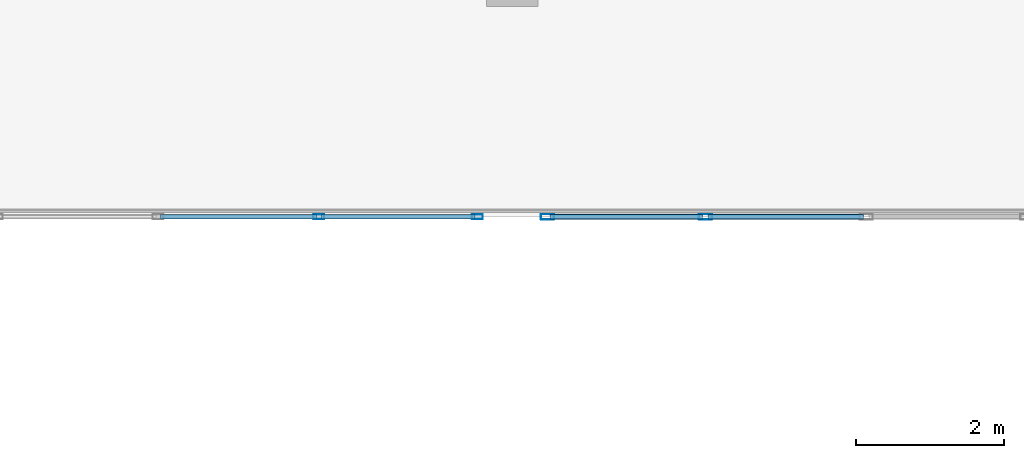
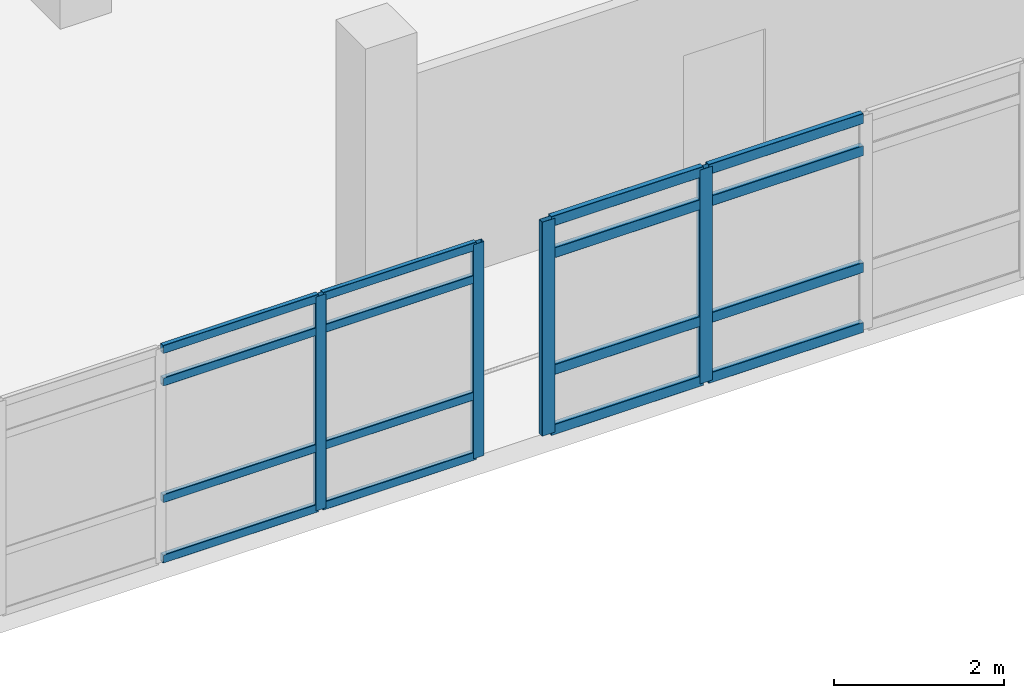
# One storey, part 46 of 134: 20 members, 2 elements without a shape of their own.
"""IFC4 building model written with IfcOpenShell, lengths in metres."""

from ifc_helpers import new_model, si_unit, direction, frame, origin, origin_2d, place, context, subcontext, project, spatial, hollow_rectangle, extrude, material, layer, layer_set, material_profile, profile_set, type_object, element, aggregate, save


model = new_model("IFC4")

# Units and contexts
model_context = context("Model", 3, precision=1e-05, world=origin(), true_north=direction((0.0, 1.0)))
body_context = subcontext(model_context, "Body", "Model", "MODEL_VIEW")
ifc_project = project(units=[si_unit("LENGTHUNIT", "METRE"), si_unit("AREAUNIT", "SQUARE_METRE"), si_unit("VOLUMEUNIT", "CUBIC_METRE"), si_unit("PLANEANGLEUNIT", "RADIAN"), si_unit("MASSUNIT", "GRAM", prefix="KILO")], contexts=[model_context])

# Site, building, storey
site_placement = place(None, origin())
site = spatial("IfcSite", under=ifc_project, at=site_placement, CompositionType="ELEMENT")
building_placement = place(site_placement, origin())
building = spatial("IfcBuilding", under=site, at=building_placement, Name="Asteropetra Specialist Clinic", CompositionType="ELEMENT")
storey_placement = place(building_placement, frame((0.0, 0.0, 8.5)))
storey = spatial("IfcBuildingStorey", under=building, at=storey_placement, Name="L02", CompositionType="ELEMENT", Elevation=8.5)

# Curtain wall, members
ifc_material_1 = material(Name="Aluminium and low-E glass", Category="aluminium")
ifc_layer_1 = layer(ifc_material_1, 0.135009765625)
ifc_layer_set_1 = layer_set([ifc_layer_1], Name="Aluminium and low-E glass")
curtain_wall_type_1 = type_object("IfcCurtainWallType", Name="CW-SYS-03", PredefinedType="USERDEFINED", material=ifc_layer_set_1)
curtain_wall_1_placement = place(storey_placement, origin())
curtain_wall_1 = element("IfcCurtainWall", 1, at=curtain_wall_1_placement, inside=storey, type_object=curtain_wall_type_1, Name="Curtain Wall CW-034", ObjectType="UNITISED CURTAIN WALL", PredefinedType="USERDEFINED")
ifc_material_2 = material(Name="Aluminium 6063-T6", Category="aluminium")
ifc_material_profile_1 = material_profile(ifc_material_2, hollow_rectangle(XDim=0.06494140625, YDim=0.14990234375, WallThickness=0.00390625, InnerFilletRadius=0.00390625, OuterFilletRadius=0.008056640625, at=origin_2d()), Name="MUL 150x65x4.0")
ifc_profile_set_1 = profile_set([ifc_material_profile_1], Name="Aluminium 6063-T6")
member_type_1 = type_object("IfcMemberType", Name="CWM-150x65", PredefinedType="MULLION", material=ifc_profile_set_1)
member_1_placement = place(storey_placement, frame((18.7275390625, 95.199951171875, 0.0), z_axis=(0.0, 0.0, 1.0), x_axis=(0.0, -1.0, 0.0)))
member_1 = element("IfcMember", 2, at=member_1_placement, type_object=member_type_1, Name="CW-034 mullion 1", PredefinedType="MULLION", context=body_context, shape_type="SweptSolid", body=[
    extrude(hollow_rectangle(XDim=0.06494140625, YDim=0.14990234375, WallThickness=0.00390625, InnerFilletRadius=0.00390625, OuterFilletRadius=0.008056640625, at=origin_2d()), origin(), (0.0, 0.0, 1.0), 3.080078125),
])
member_2_placement = place(storey_placement, frame((16.580078125, 95.199951171875, 0.0), z_axis=(0.0, 0.0, 1.0), x_axis=(0.0, -1.0, 0.0)))
member_2 = element("IfcMember", 3, at=member_2_placement, type_object=member_type_1, Name="CW-034 mullion 2", PredefinedType="MULLION", context=body_context, shape_type="SweptSolid", body=[
    extrude(hollow_rectangle(XDim=0.06494140625, YDim=0.14990234375, WallThickness=0.00390625, InnerFilletRadius=0.00390625, OuterFilletRadius=0.008056640625, at=origin_2d()), origin(), (0.0, 0.0, 1.0), 3.080078125),
])

ifc_material_3 = material(Name="Aluminium and low-E glass", Category="aluminium")
ifc_layer_2 = layer(ifc_material_3, 0.179931640625)
ifc_layer_set_2 = layer_set([ifc_layer_2], Name="Aluminium and low-E glass")
curtain_wall_type_2 = type_object("IfcCurtainWallType", Name="CW-SYS-04", PredefinedType="USERDEFINED", material=ifc_layer_set_2)
curtain_wall_2_placement = place(storey_placement, origin())
curtain_wall_2 = element("IfcCurtainWall", 4, at=curtain_wall_2_placement, inside=storey, type_object=curtain_wall_type_2, Name="Curtain Wall CW-036", ObjectType="UNITISED CURTAIN WALL", PredefinedType="USERDEFINED")
ifc_material_4 = material(Name="Aluminium 6063-T6", Category="aluminium")
ifc_material_profile_2 = material_profile(ifc_material_4, hollow_rectangle(XDim=0.074951171875, YDim=0.179931640625, WallThickness=0.00390625, InnerFilletRadius=0.00390625, OuterFilletRadius=0.008056640625, at=origin_2d()), Name="MUL 180x75x4.0")
ifc_profile_set_2 = profile_set([ifc_material_profile_2], Name="Aluminium 6063-T6")
member_type_2 = type_object("IfcMemberType", Name="CWM-180x75", PredefinedType="MULLION", material=ifc_profile_set_2)
member_3_placement = place(storey_placement, frame((21.820068359375, 95.199951171875, 0.0), z_axis=(0.0, 0.0, 1.0), x_axis=(0.0, -1.0, 0.0)))
member_3 = element("IfcMember", 5, at=member_3_placement, type_object=member_type_2, Name="CW-036 mullion 4", PredefinedType="MULLION", context=body_context, shape_type="SweptSolid", body=[
    extrude(hollow_rectangle(XDim=0.074951171875, YDim=0.179931640625, WallThickness=0.00390625, InnerFilletRadius=0.00390625, OuterFilletRadius=0.008056640625, at=origin_2d()), origin(), (0.0, 0.0, 1.0), 3.080078125),
])
member_4_placement = place(storey_placement, frame((19.677490234375, 95.199951171875, 0.0), z_axis=(0.0, 0.0, 1.0), x_axis=(0.0, -1.0, 0.0)))
member_4 = element("IfcMember", 6, at=member_4_placement, type_object=member_type_2, Name="CW-036 mullion 5", PredefinedType="MULLION", context=body_context, shape_type="SweptSolid", body=[
    extrude(hollow_rectangle(XDim=0.074951171875, YDim=0.179931640625, WallThickness=0.00390625, InnerFilletRadius=0.00390625, OuterFilletRadius=0.008056640625, at=origin_2d()), origin(), (0.0, 0.0, 1.0), 3.080078125),
])

# Member
ifc_material_5 = material(Name="Aluminium 6063-T6", Category="aluminium")
ifc_material_profile_3 = material_profile(ifc_material_5, hollow_rectangle(XDim=0.06494140625, YDim=0.1201171875, WallThickness=0.00390625, InnerFilletRadius=0.00390625, OuterFilletRadius=0.008056640625, at=origin_2d()), Name="TRN 120x65x4.0")
ifc_profile_set_3 = profile_set([ifc_material_profile_3], Name="Aluminium 6063-T6")
member_type_3 = type_object("IfcMemberType", Name="CWT-120x65", PredefinedType="USERDEFINED", material=ifc_profile_set_3)
member_5_placement = place(storey_placement, frame((18.695068359375, 95.199951171875, 0.032470703125), z_axis=(-1.0, 0.0, 0.0), x_axis=(0.0, -1.0, 0.0)))
member_5 = element("IfcMember", 7, at=member_5_placement, type_object=member_type_3, Name="CW-034 transom 1.1", ObjectType="TRANSOM", PredefinedType="USERDEFINED", context=body_context, shape_type="SweptSolid", body=[
    extrude(hollow_rectangle(XDim=0.06494140625, YDim=0.1201171875, WallThickness=0.00390625, InnerFilletRadius=0.00390625, OuterFilletRadius=0.008056640625, at=origin_2d()), origin(), (0.0, 0.0, 1.0), 2.08251953125),
])

member_6_placement = place(storey_placement, frame((18.695068359375, 95.199951171875, 0.89990234375), z_axis=(-1.0, 0.0, 0.0), x_axis=(0.0, -1.0, 0.0)))
member_6 = element("IfcMember", 8, at=member_6_placement, type_object=member_type_3, Name="CW-034 transom 1.2", ObjectType="TRANSOM", PredefinedType="USERDEFINED", context=body_context, shape_type="SweptSolid", body=[
    extrude(hollow_rectangle(XDim=0.06494140625, YDim=0.1201171875, WallThickness=0.00390625, InnerFilletRadius=0.00390625, OuterFilletRadius=0.008056640625, at=origin_2d()), origin(), (0.0, 0.0, 1.0), 2.08251953125),
])

member_7_placement = place(storey_placement, frame((18.695068359375, 95.199951171875, 2.580078125), z_axis=(-1.0, 0.0, 0.0), x_axis=(0.0, -1.0, 0.0)))
member_7 = element("IfcMember", 9, at=member_7_placement, type_object=member_type_3, Name="CW-034 transom 1.3", ObjectType="TRANSOM", PredefinedType="USERDEFINED", context=body_context, shape_type="SweptSolid", body=[
    extrude(hollow_rectangle(XDim=0.06494140625, YDim=0.1201171875, WallThickness=0.00390625, InnerFilletRadius=0.00390625, OuterFilletRadius=0.008056640625, at=origin_2d()), origin(), (0.0, 0.0, 1.0), 2.08251953125),
])

member_8_placement = place(storey_placement, frame((18.695068359375, 95.199951171875, 3.047607421875), z_axis=(-1.0, 0.0, 0.0), x_axis=(0.0, -1.0, 0.0)))
member_8 = element("IfcMember", 10, at=member_8_placement, type_object=member_type_3, Name="CW-034 transom 1.4", ObjectType="TRANSOM", PredefinedType="USERDEFINED", context=body_context, shape_type="SweptSolid", body=[
    extrude(hollow_rectangle(XDim=0.06494140625, YDim=0.1201171875, WallThickness=0.00390625, InnerFilletRadius=0.00390625, OuterFilletRadius=0.008056640625, at=origin_2d()), origin(), (0.0, 0.0, 1.0), 2.08251953125),
])

member_9_placement = place(storey_placement, frame((16.547607421875, 95.199951171875, 0.032470703125), z_axis=(-1.0, 0.0, 0.0), x_axis=(0.0, -1.0, 0.0)))
member_9 = element("IfcMember", 11, at=member_9_placement, type_object=member_type_3, Name="CW-034 transom 2.1", ObjectType="TRANSOM", PredefinedType="USERDEFINED", context=body_context, shape_type="SweptSolid", body=[
    extrude(hollow_rectangle(XDim=0.06494140625, YDim=0.1201171875, WallThickness=0.00390625, InnerFilletRadius=0.00390625, OuterFilletRadius=0.008056640625, at=origin_2d()), origin(), (0.0, 0.0, 1.0), 2.114990234375),
])

member_10_placement = place(storey_placement, frame((16.547607421875, 95.199951171875, 0.89990234375), z_axis=(-1.0, 0.0, 0.0), x_axis=(0.0, -1.0, 0.0)))
member_10 = element("IfcMember", 12, at=member_10_placement, type_object=member_type_3, Name="CW-034 transom 2.2", ObjectType="TRANSOM", PredefinedType="USERDEFINED", context=body_context, shape_type="SweptSolid", body=[
    extrude(hollow_rectangle(XDim=0.06494140625, YDim=0.1201171875, WallThickness=0.00390625, InnerFilletRadius=0.00390625, OuterFilletRadius=0.008056640625, at=origin_2d()), origin(), (0.0, 0.0, 1.0), 2.114990234375),
])

member_11_placement = place(storey_placement, frame((16.547607421875, 95.199951171875, 2.580078125), z_axis=(-1.0, 0.0, 0.0), x_axis=(0.0, -1.0, 0.0)))
member_11 = element("IfcMember", 13, at=member_11_placement, type_object=member_type_3, Name="CW-034 transom 2.3", ObjectType="TRANSOM", PredefinedType="USERDEFINED", context=body_context, shape_type="SweptSolid", body=[
    extrude(hollow_rectangle(XDim=0.06494140625, YDim=0.1201171875, WallThickness=0.00390625, InnerFilletRadius=0.00390625, OuterFilletRadius=0.008056640625, at=origin_2d()), origin(), (0.0, 0.0, 1.0), 2.114990234375),
])

member_12_placement = place(storey_placement, frame((16.547607421875, 95.199951171875, 3.047607421875), z_axis=(-1.0, 0.0, 0.0), x_axis=(0.0, -1.0, 0.0)))
member_12 = element("IfcMember", 14, at=member_12_placement, type_object=member_type_3, Name="CW-034 transom 2.4", ObjectType="TRANSOM", PredefinedType="USERDEFINED", context=body_context, shape_type="SweptSolid", body=[
    extrude(hollow_rectangle(XDim=0.06494140625, YDim=0.1201171875, WallThickness=0.00390625, InnerFilletRadius=0.00390625, OuterFilletRadius=0.008056640625, at=origin_2d()), origin(), (0.0, 0.0, 1.0), 2.114990234375),
])

aggregate(curtain_wall_1, [member_1, member_2, member_5, member_6, member_7, member_8, member_9, member_10, member_11, member_12])

ifc_material_6 = material(Name="Aluminium 6063-T6", Category="aluminium")
ifc_material_profile_4 = material_profile(ifc_material_6, hollow_rectangle(XDim=0.074951171875, YDim=0.14990234375, WallThickness=0.00390625, InnerFilletRadius=0.00390625, OuterFilletRadius=0.008056640625, at=origin_2d()), Name="TRN 150x75x4.0")
ifc_profile_set_4 = profile_set([ifc_material_profile_4], Name="Aluminium 6063-T6")
member_type_4 = type_object("IfcMemberType", Name="CWT-150x75", PredefinedType="USERDEFINED", material=ifc_profile_set_4)
member_13_placement = place(storey_placement, frame((23.96240234375, 95.199951171875, 0.03759765625), z_axis=(-1.0, 0.0, 0.0), x_axis=(0.0, -1.0, 0.0)))
member_13 = element("IfcMember", 15, at=member_13_placement, type_object=member_type_4, Name="CW-036 transom 3.1", ObjectType="TRANSOM", PredefinedType="USERDEFINED", context=body_context, shape_type="SweptSolid", body=[
    extrude(hollow_rectangle(XDim=0.074951171875, YDim=0.14990234375, WallThickness=0.00390625, InnerFilletRadius=0.00390625, OuterFilletRadius=0.008056640625, at=origin_2d()), origin(), (0.0, 0.0, 1.0), 2.10498046875),
])

member_14_placement = place(storey_placement, frame((23.96240234375, 95.199951171875, 0.89990234375), z_axis=(-1.0, 0.0, 0.0), x_axis=(0.0, -1.0, 0.0)))
member_14 = element("IfcMember", 16, at=member_14_placement, type_object=member_type_4, Name="CW-036 transom 3.2", ObjectType="TRANSOM", PredefinedType="USERDEFINED", context=body_context, shape_type="SweptSolid", body=[
    extrude(hollow_rectangle(XDim=0.074951171875, YDim=0.14990234375, WallThickness=0.00390625, InnerFilletRadius=0.00390625, OuterFilletRadius=0.008056640625, at=origin_2d()), origin(), (0.0, 0.0, 1.0), 2.10498046875),
])

member_15_placement = place(storey_placement, frame((23.96240234375, 95.199951171875, 2.580078125), z_axis=(-1.0, 0.0, 0.0), x_axis=(0.0, -1.0, 0.0)))
member_15 = element("IfcMember", 17, at=member_15_placement, type_object=member_type_4, Name="CW-036 transom 3.3", ObjectType="TRANSOM", PredefinedType="USERDEFINED", context=body_context, shape_type="SweptSolid", body=[
    extrude(hollow_rectangle(XDim=0.074951171875, YDim=0.14990234375, WallThickness=0.00390625, InnerFilletRadius=0.00390625, OuterFilletRadius=0.008056640625, at=origin_2d()), origin(), (0.0, 0.0, 1.0), 2.10498046875),
])

member_16_placement = place(storey_placement, frame((23.96240234375, 95.199951171875, 3.04248046875), z_axis=(-1.0, 0.0, 0.0), x_axis=(0.0, -1.0, 0.0)))
member_16 = element("IfcMember", 18, at=member_16_placement, type_object=member_type_4, Name="CW-036 transom 3.4", ObjectType="TRANSOM", PredefinedType="USERDEFINED", context=body_context, shape_type="SweptSolid", body=[
    extrude(hollow_rectangle(XDim=0.074951171875, YDim=0.14990234375, WallThickness=0.00390625, InnerFilletRadius=0.00390625, OuterFilletRadius=0.008056640625, at=origin_2d()), origin(), (0.0, 0.0, 1.0), 2.10498046875),
])

member_17_placement = place(storey_placement, frame((21.782470703125, 95.199951171875, 0.03759765625), z_axis=(-1.0, 0.0, 0.0), x_axis=(0.0, -1.0, 0.0)))
member_17 = element("IfcMember", 19, at=member_17_placement, type_object=member_type_4, Name="CW-036 transom 4.1", ObjectType="TRANSOM", PredefinedType="USERDEFINED", context=body_context, shape_type="SweptSolid", body=[
    extrude(hollow_rectangle(XDim=0.074951171875, YDim=0.14990234375, WallThickness=0.00390625, InnerFilletRadius=0.00390625, OuterFilletRadius=0.008056640625, at=origin_2d()), origin(), (0.0, 0.0, 1.0), 2.0673828125),
])

member_18_placement = place(storey_placement, frame((21.782470703125, 95.199951171875, 0.89990234375), z_axis=(-1.0, 0.0, 0.0), x_axis=(0.0, -1.0, 0.0)))
member_18 = element("IfcMember", 20, at=member_18_placement, type_object=member_type_4, Name="CW-036 transom 4.2", ObjectType="TRANSOM", PredefinedType="USERDEFINED", context=body_context, shape_type="SweptSolid", body=[
    extrude(hollow_rectangle(XDim=0.074951171875, YDim=0.14990234375, WallThickness=0.00390625, InnerFilletRadius=0.00390625, OuterFilletRadius=0.008056640625, at=origin_2d()), origin(), (0.0, 0.0, 1.0), 2.0673828125),
])

member_19_placement = place(storey_placement, frame((21.782470703125, 95.199951171875, 2.580078125), z_axis=(-1.0, 0.0, 0.0), x_axis=(0.0, -1.0, 0.0)))
member_19 = element("IfcMember", 21, at=member_19_placement, type_object=member_type_4, Name="CW-036 transom 4.3", ObjectType="TRANSOM", PredefinedType="USERDEFINED", context=body_context, shape_type="SweptSolid", body=[
    extrude(hollow_rectangle(XDim=0.074951171875, YDim=0.14990234375, WallThickness=0.00390625, InnerFilletRadius=0.00390625, OuterFilletRadius=0.008056640625, at=origin_2d()), origin(), (0.0, 0.0, 1.0), 2.0673828125),
])

member_20_placement = place(storey_placement, frame((21.782470703125, 95.199951171875, 3.04248046875), z_axis=(-1.0, 0.0, 0.0), x_axis=(0.0, -1.0, 0.0)))
member_20 = element("IfcMember", 22, at=member_20_placement, type_object=member_type_4, Name="CW-036 transom 4.4", ObjectType="TRANSOM", PredefinedType="USERDEFINED", context=body_context, shape_type="SweptSolid", body=[
    extrude(hollow_rectangle(XDim=0.074951171875, YDim=0.14990234375, WallThickness=0.00390625, InnerFilletRadius=0.00390625, OuterFilletRadius=0.008056640625, at=origin_2d()), origin(), (0.0, 0.0, 1.0), 2.0673828125),
])

aggregate(curtain_wall_2, [member_3, member_4, member_13, member_14, member_15, member_16, member_17, member_18, member_19, member_20])

save(model, "model.ifc")
